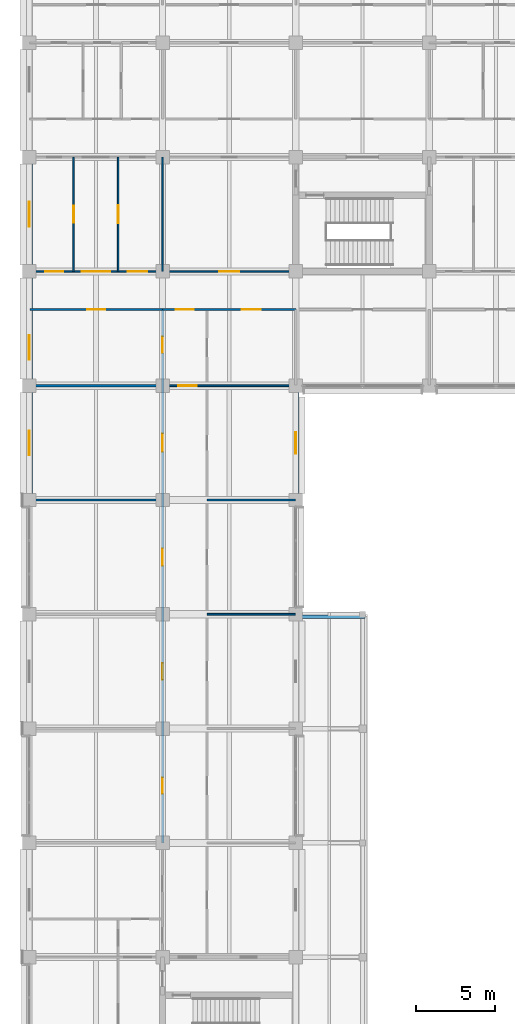
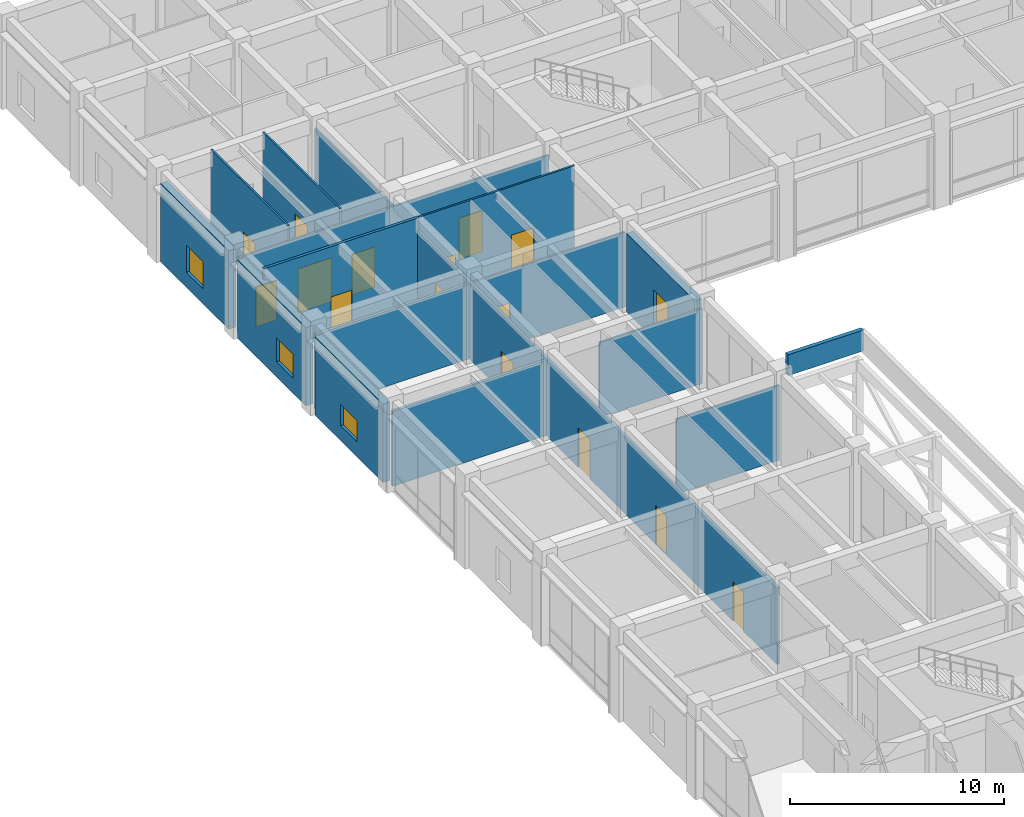
# One storey, part 40 of 68: 17 walls, 15 doors, 4 windows, 19 openings.
"""IFC4 building model written with IfcOpenShell, lengths in metres."""

from ifc_helpers import new_model, si_unit, direction, frame, frame_2d, origin, place, context, subcontext, project, spatial, rectangle, extrude, material, layer, layer_set, type_object, element, fill, save


model = new_model("IFC4")

# Units and contexts
model_context = context("Model", 3, precision=1e-05, world=origin(), true_north=direction((0.0, 1.0)))
body_context = subcontext(model_context, "Body", "Model", "MODEL_VIEW")
ifc_project = project(units=[si_unit("LENGTHUNIT", "METRE"), si_unit("AREAUNIT", "SQUARE_METRE"), si_unit("VOLUMEUNIT", "CUBIC_METRE"), si_unit("PLANEANGLEUNIT", "RADIAN"), si_unit("MASSUNIT", "GRAM", prefix="KILO")], contexts=[model_context])

# Site, building, storey
site_placement = place(None, origin())
site = spatial("IfcSite", under=ifc_project, at=site_placement, CompositionType="ELEMENT")
building_placement = place(site_placement, origin())
building = spatial("IfcBuilding", under=site, at=building_placement, Name="Chengyuan Square Courthouse", CompositionType="ELEMENT")
storey_placement = place(building_placement, frame((0.0, 0.0, 5.39990234375)))
storey = spatial("IfcBuildingStorey", under=building, at=storey_placement, Name="L02", CompositionType="ELEMENT", Elevation=5.39990234375)

# Wall, opening, window
ifc_material_1 = material(Name="Concrete C40", Category="concrete")
ifc_layer_1 = layer(ifc_material_1, 0.3798828125)
ifc_layer_set_1 = layer_set([ifc_layer_1], Name="Concrete C40")
wall_type_1 = type_object("IfcWallType", Name="WL-EW1", PredefinedType="STANDARD", material=ifc_layer_set_1)
wall_1_placement = place(storey_placement, frame((0.0, 72.419921875, 0.0), z_axis=(0.0, 0.0, 1.0), x_axis=(0.0, 1.0, 0.0)))
wall_1 = element("IfcWall", 1, at=wall_1_placement, inside=storey, type_object=wall_type_1, Name="Exterior Wall WL-L02-E210", PredefinedType="STANDARD", context=body_context, shape_type="SweptSolid", body=[
    extrude(rectangle(XDim=6.360107421875, YDim=0.3798828125, at=frame_2d((3.18017578125, 0.0))), origin(), (0.0, 0.0, 1.0), 4.47021484375),
])
opening_1_placement = place(wall_1_placement, frame((2.405029296875, 0.0, 0.85009765625)))
opening_1 = element("IfcOpeningElement", 2, at=opening_1_placement, cuts=wall_1, Name="Opening WN-024", PredefinedType="OPENING", context=body_context, shape_type="SweptSolid", body=[
    extrude(rectangle(XDim=1.550048828125, YDim=1.199951171875, at=frame_2d((0.77490234375, 0.60009765625))), frame((0.0, 0.201904296875, 0.0), z_axis=(0.0, -1.0, 0.0), x_axis=(1.0, 0.0, 0.0)), (0.0, 0.0, 1.0), 0.40380859375),
])
ifc_material_2 = material(Name="Thermally Broken Aluminium Triple Low-E Window", Category="aluminium")
window_type_1 = type_object("IfcWindowType", Name="WT-25", PartitioningType="SINGLE_PANEL", PredefinedType="WINDOW", material=ifc_material_2)
window_1_placement = place(opening_1_placement, origin())
window_1 = element("IfcWindow", 3, at=window_1_placement, inside=storey, type_object=window_type_1, Name="Facade Window WN-024", OverallHeight=1.199951171875, OverallWidth=1.550048828125, PartitioningType="SINGLE_PANEL", PredefinedType="WINDOW", context=body_context, shape_type="SweptSolid", body=[
    extrude(rectangle(XDim=1.550048828125, YDim=1.199951171875, at=frame_2d((0.77490234375, 0.60009765625))), frame((0.0, 0.030029296875, 0.0), z_axis=(0.0, -1.0, 0.0), x_axis=(1.0, 0.0, 0.0)), (0.0, 0.0, 1.0), 0.06005859375),
])
fill(opening_1, window_1)

wall_2_placement = place(storey_placement, frame((0.0, 79.6201171875, 0.0), z_axis=(0.0, 0.0, 1.0), x_axis=(0.0, 1.0, 0.0)))
wall_2 = element("IfcWall", 4, at=wall_2_placement, inside=storey, type_object=wall_type_1, Name="Exterior Wall WL-L02-E211", PredefinedType="STANDARD", context=body_context, shape_type="SweptSolid", body=[
    extrude(rectangle(XDim=6.35986328125, YDim=0.3798828125, at=frame_2d((3.179931640625, 0.0))), origin(), (0.0, 0.0, 1.0), 4.47021484375),
])
opening_2_placement = place(wall_2_placement, frame((1.205078125, 0.0, 0.85009765625)))
opening_2 = element("IfcOpeningElement", 5, at=opening_2_placement, cuts=wall_2, Name="Opening WN-025", PredefinedType="OPENING", context=body_context, shape_type="SweptSolid", body=[
    extrude(rectangle(XDim=1.550048828125, YDim=1.3798828125, at=frame_2d((0.77490234375, 0.68994140625))), frame((0.0, 0.201904296875, 0.0), z_axis=(0.0, -1.0, 0.0), x_axis=(1.0, 0.0, 0.0)), (0.0, 0.0, 1.0), 0.40380859375),
])
window_type_2 = type_object("IfcWindowType", Name="WT-26", PartitioningType="SINGLE_PANEL", PredefinedType="WINDOW", material=ifc_material_2)
window_2_placement = place(opening_2_placement, origin())
window_2 = element("IfcWindow", 6, at=window_2_placement, inside=storey, type_object=window_type_2, Name="Facade Window WN-025", OverallHeight=1.3798828125, OverallWidth=1.550048828125, PartitioningType="SINGLE_PANEL", PredefinedType="WINDOW", context=body_context, shape_type="SweptSolid", body=[
    extrude(rectangle(XDim=1.550048828125, YDim=1.3798828125, at=frame_2d((0.77490234375, 0.68994140625))), frame((0.0, 0.030029296875, 0.0), z_axis=(0.0, -1.0, 0.0), x_axis=(1.0, 0.0, 0.0)), (0.0, 0.0, 1.0), 0.06005859375),
])
fill(opening_2, window_2)

wall_3_placement = place(storey_placement, frame((0.0, 86.820068359375, 0.0), z_axis=(0.0, 0.0, 1.0), x_axis=(0.0, 1.0, 0.0)))
wall_3 = element("IfcWall", 7, at=wall_3_placement, inside=storey, type_object=wall_type_1, Name="Exterior Wall WL-L02-E212", PredefinedType="STANDARD", context=body_context, shape_type="SweptSolid", body=[
    extrude(rectangle(XDim=6.35986328125, YDim=0.3798828125, at=frame_2d((3.179931640625, 0.0))), origin(), (0.0, 0.0, 1.0), 4.47021484375),
])
opening_3_placement = place(wall_3_placement, frame((2.405029296875, 0.0, 0.85009765625)))
opening_3 = element("IfcOpeningElement", 8, at=opening_3_placement, cuts=wall_3, Name="Opening WN-026", PredefinedType="OPENING", context=body_context, shape_type="SweptSolid", body=[
    extrude(rectangle(XDim=1.550048828125, YDim=1.56005859375, at=frame_2d((0.77490234375, 0.780029296875))), frame((0.0, 0.201904296875, 0.0), z_axis=(0.0, -1.0, 0.0), x_axis=(1.0, 0.0, 0.0)), (0.0, 0.0, 1.0), 0.40380859375),
])
window_type_3 = type_object("IfcWindowType", Name="WT-27", PartitioningType="SINGLE_PANEL", PredefinedType="WINDOW", material=ifc_material_2)
window_3_placement = place(opening_3_placement, origin())
window_3 = element("IfcWindow", 9, at=window_3_placement, inside=storey, type_object=window_type_3, Name="Facade Window WN-026", OverallHeight=1.56005859375, OverallWidth=1.550048828125, PartitioningType="SINGLE_PANEL", PredefinedType="WINDOW", context=body_context, shape_type="SweptSolid", body=[
    extrude(rectangle(XDim=1.550048828125, YDim=1.56005859375, at=frame_2d((0.77490234375, 0.780029296875))), frame((0.0, 0.030029296875, 0.0), z_axis=(0.0, -1.0, 0.0), x_axis=(1.0, 0.0, 0.0)), (0.0, 0.0, 1.0), 0.06005859375),
])
fill(opening_3, window_3)

wall_4_placement = place(storey_placement, frame((16.800048828125, 72.419921875, 0.0), z_axis=(0.0, 0.0, 1.0), x_axis=(0.0, 1.0, 0.0)))
wall_4 = element("IfcWall", 10, at=wall_4_placement, inside=storey, type_object=wall_type_1, Name="Exterior Wall WL-L02-E222", PredefinedType="STANDARD", context=body_context, shape_type="SweptSolid", body=[
    extrude(rectangle(XDim=6.360107421875, YDim=0.3798828125, at=frame_2d((3.18017578125, 0.0))), origin(), (0.0, 0.0, 1.0), 4.47021484375),
])
opening_4_placement = place(wall_4_placement, frame((2.5048828125, 0.0, 0.85009765625)))
opening_4 = element("IfcOpeningElement", 11, at=opening_4_placement, cuts=wall_4, Name="Opening WN-035", PredefinedType="OPENING", context=body_context, shape_type="SweptSolid", body=[
    extrude(rectangle(XDim=1.35009765625, YDim=1.919921875, at=frame_2d((0.675048828125, 0.9599609375))), frame((0.0, 0.201904296875, 0.0), z_axis=(0.0, -1.0, 0.0), x_axis=(1.0, 0.0, 0.0)), (0.0, 0.0, 1.0), 0.40380859375),
])
window_type_4 = type_object("IfcWindowType", Name="WT-23", PartitioningType="SINGLE_PANEL", PredefinedType="WINDOW", material=ifc_material_2)
window_4_placement = place(opening_4_placement, origin())
window_4 = element("IfcWindow", 12, at=window_4_placement, inside=storey, type_object=window_type_4, Name="Facade Window WN-035", OverallHeight=1.919921875, OverallWidth=1.35009765625, PartitioningType="SINGLE_PANEL", PredefinedType="WINDOW", context=body_context, shape_type="SweptSolid", body=[
    extrude(rectangle(XDim=1.35009765625, YDim=1.919921875, at=frame_2d((0.675048828125, 0.9599609375))), frame((0.0, 0.030029296875, 0.0), z_axis=(0.0, -1.0, 0.0), x_axis=(1.0, 0.0, 0.0)), (0.0, 0.0, 1.0), 0.06005859375),
])
fill(opening_4, window_4)

# Walls
ifc_layer_2 = layer(ifc_material_1, 0.219970703125)
ifc_layer_set_2 = layer_set([ifc_layer_2], Name="Concrete C40")
wall_type_2 = type_object("IfcWallType", Name="WL-PR1", PredefinedType="PARAPET", material=ifc_layer_set_2)
wall_5_placement = place(storey_placement, frame((21.159912109375, 64.659912109375, 4.800048828125), z_axis=(0.0, 0.0, 1.0), x_axis=(-1.0, 0.0, 0.0)))
element("IfcWall", 13, at=wall_5_placement, inside=storey, type_object=wall_type_2, Name="Roof Parapet Wall PAR-L02-003", PredefinedType="PARAPET", context=body_context, shape_type="SweptSolid", body=[
    extrude(rectangle(XDim=4.059814453125, YDim=0.219970703125, at=frame_2d((2.02978515625, 0.0))), origin(), (0.0, 0.0, 1.0), 1.199951171875),
])
ifc_material_3 = material(Name="Deliberation Room Sound-Insulated Partition")
ifc_layer_3 = layer(ifc_material_3, 0.14990234375)
ifc_layer_set_3 = layer_set([ifc_layer_3], Name="Deliberation Room Sound-Insulated Partition")
wall_type_3 = type_object("IfcWallType", Name="WL-PT3", PredefinedType="STANDARD", material=ifc_layer_set_3)
for number, where, z_axis, x_axis, name in (
    (14, (0.0400390625, 72.0, 0.0), (0.0, 0.0, 1.0), (1.0, 0.0, 0.0), "Interior Wall WL-L02-I1054"),
    (15, (0.0400390625, 79.199951171875, 0.0), (0.0, 0.0, 1.0), (1.0, 0.0, 0.0), "Interior Wall WL-L02-I1058"),
):
    element("IfcWall", number, at=place(storey_placement, frame(where, z_axis=z_axis, x_axis=x_axis)), inside=storey, type_object=wall_type_3, Name=name, PredefinedType="STANDARD", context=body_context, shape_type="SweptSolid", body=[
        extrude(rectangle(XDim=8.35986328125, YDim=0.14990234375, at=frame_2d((4.179931640625, 0.0))), origin(), (0.0, 0.0, 1.0), 4.27001953125),
    ])

# Wall, opening, door
wall_6_placement = place(storey_placement, frame((0.0400390625, 84.0, 0.0), z_axis=(0.0, 0.0, 1.0), x_axis=(1.0, 0.0, 0.0)))
wall_6 = element("IfcWall", 16, at=wall_6_placement, inside=storey, type_object=wall_type_3, Name="Interior Wall WL-L02-I1062", PredefinedType="STANDARD", context=body_context, shape_type="SweptSolid", body=[
    extrude(rectangle(XDim=8.35986328125, YDim=0.14990234375, at=frame_2d((4.179931640625, 0.0))), origin(), (0.0, 0.0, 1.0), 5.1201171875),
])
opening_5_placement = place(wall_6_placement, frame((3.6201171875, 0.0, 0.0)))
opening_5 = element("IfcOpeningElement", 17, at=opening_5_placement, cuts=wall_6, Name="Opening DR-1229", PredefinedType="OPENING", context=body_context, shape_type="SweptSolid", body=[
    extrude(rectangle(XDim=1.1201171875, YDim=2.25, at=frame_2d((0.56005859375, 1.125))), frame((0.0, 0.0869140625, 0.0), z_axis=(0.0, -1.0, 0.0), x_axis=(1.0, 0.0, 0.0)), (0.0, 0.0, 1.0), 0.173828125),
])
ifc_material_4 = material(Name="Acoustic Solid-Core Timber Door", Category="wood")
door_type_1 = type_object("IfcDoorType", Name="DT-34", OperationType="NOTDEFINED", PredefinedType="DOOR", material=ifc_material_4)
door_1_placement = place(opening_5_placement, origin())
door_1 = element("IfcDoor", 18, at=door_1_placement, inside=storey, type_object=door_type_1, Name="Interior Door DR-1229", OperationType="SINGLE_SWING_RIGHT", OverallHeight=2.25, OverallWidth=1.1201171875, PredefinedType="DOOR", context=body_context, shape_type="SweptSolid", body=[
    extrude(rectangle(XDim=1.1201171875, YDim=2.25, at=frame_2d((0.56005859375, 1.125))), frame((0.0, 0.02490234375, 0.0), z_axis=(0.0, -1.0, 0.0), x_axis=(1.0, 0.0, 0.0)), (0.0, 0.0, 1.0), 0.050048828125),
])
fill(opening_5, door_1)

# Wall, openings, doors
wall_7_placement = place(storey_placement, frame((8.39990234375, 50.39990234375, 0.0), z_axis=(0.0, 0.0, 1.0), x_axis=(0.0, 1.0, 0.0)))
wall_7 = element("IfcWall", 19, at=wall_7_placement, inside=storey, type_object=wall_type_3, Name="Interior Wall WL-L02-I1209", PredefinedType="STANDARD", context=body_context, shape_type="SweptSolid", body=[
    extrude(rectangle(XDim=33.60009765625, YDim=0.14990234375, at=frame_2d((16.800048828125, 0.0))), origin(), (0.0, 0.0, 1.0), 4.3701171875),
])
opening_6_placement = place(wall_7_placement, frame((30.862548828125, 0.0, 0.0)))
opening_6 = element("IfcOpeningElement", 20, at=opening_6_placement, cuts=wall_7, Name="Opening DR-1253", PredefinedType="OPENING", context=body_context, shape_type="SweptSolid", body=[
    extrude(rectangle(XDim=1.02001953125, YDim=2.39990234375, at=frame_2d((0.510009765625, 1.199951171875))), frame((0.0, 0.0869140625, 0.0), z_axis=(0.0, -1.0, 0.0), x_axis=(1.0, 0.0, 0.0)), (0.0, 0.0, 1.0), 0.173828125),
])
opening_7_placement = place(wall_7_placement, frame((3.10009765625, 0.0, 0.0)))
opening_7 = element("IfcOpeningElement", 21, at=opening_7_placement, cuts=wall_7, Name="Opening DR-1277", PredefinedType="OPENING", context=body_context, shape_type="SweptSolid", body=[
    extrude(rectangle(XDim=1.0, YDim=2.25, at=frame_2d((0.5, 1.125))), frame((0.0, 0.0869140625, 0.0), z_axis=(0.0, -1.0, 0.0), x_axis=(1.0, 0.0, 0.0)), (0.0, 0.0, 1.0), 0.173828125),
])
opening_8_placement = place(wall_7_placement, frame((10.280029296875, 0.0, 0.0)))
opening_8 = element("IfcOpeningElement", 22, at=opening_8_placement, cuts=wall_7, Name="Opening DR-1278", PredefinedType="OPENING", context=body_context, shape_type="SweptSolid", body=[
    extrude(rectangle(XDim=1.0400390625, YDim=2.199951171875, at=frame_2d((0.52001953125, 1.10009765625))), frame((0.0, 0.0869140625, 0.0), z_axis=(0.0, -1.0, 0.0), x_axis=(1.0, 0.0, 0.0)), (0.0, 0.0, 1.0), 0.173828125),
])
opening_9_placement = place(wall_7_placement, frame((17.4599609375, 0.0, 0.0)))
opening_9 = element("IfcOpeningElement", 23, at=opening_9_placement, cuts=wall_7, Name="Opening DR-1279", PredefinedType="OPENING", context=body_context, shape_type="SweptSolid", body=[
    extrude(rectangle(XDim=1.080078125, YDim=2.25, at=frame_2d((0.5400390625, 1.125))), frame((0.0, 0.0869140625, 0.0), z_axis=(0.0, -1.0, 0.0), x_axis=(1.0, 0.0, 0.0)), (0.0, 0.0, 1.0), 0.173828125),
])
opening_10_placement = place(wall_7_placement, frame((24.639892578125, 0.0, 0.0)))
opening_10 = element("IfcOpeningElement", 24, at=opening_10_placement, cuts=wall_7, Name="Opening DR-1280", PredefinedType="OPENING", context=body_context, shape_type="SweptSolid", body=[
    extrude(rectangle(XDim=1.1201171875, YDim=2.25, at=frame_2d((0.56005859375, 1.125))), frame((0.0, 0.0869140625, 0.0), z_axis=(0.0, -1.0, 0.0), x_axis=(1.0, 0.0, 0.0)), (0.0, 0.0, 1.0), 0.173828125),
])
door_type_2 = type_object("IfcDoorType", Name="DT-31", OperationType="NOTDEFINED", PredefinedType="DOOR", material=ifc_material_4)
door_2_placement = place(opening_7_placement, origin())
door_2 = element("IfcDoor", 25, at=door_2_placement, inside=storey, type_object=door_type_2, Name="Interior Door DR-1277", OperationType="SINGLE_SWING_RIGHT", OverallHeight=2.25, OverallWidth=1.0, PredefinedType="DOOR", context=body_context, shape_type="SweptSolid", body=[
    extrude(rectangle(XDim=1.0, YDim=2.25, at=frame_2d((0.5, 1.125))), frame((0.0, 0.02490234375, 0.0), z_axis=(0.0, -1.0, 0.0), x_axis=(1.0, 0.0, 0.0)), (0.0, 0.0, 1.0), 0.050048828125),
])
fill(opening_7, door_2)
door_type_3 = type_object("IfcDoorType", Name="DT-32", OperationType="NOTDEFINED", PredefinedType="DOOR", material=ifc_material_4)
door_3_placement = place(opening_8_placement, origin())
door_3 = element("IfcDoor", 26, at=door_3_placement, inside=storey, type_object=door_type_3, Name="Interior Door DR-1278", OperationType="SINGLE_SWING_LEFT", OverallHeight=2.199951171875, OverallWidth=1.0400390625, PredefinedType="DOOR", context=body_context, shape_type="SweptSolid", body=[
    extrude(rectangle(XDim=1.0400390625, YDim=2.199951171875, at=frame_2d((0.52001953125, 1.10009765625))), frame((0.0, 0.02490234375, 0.0), z_axis=(0.0, -1.0, 0.0), x_axis=(1.0, 0.0, 0.0)), (0.0, 0.0, 1.0), 0.050048828125),
])
fill(opening_8, door_3)
door_type_4 = type_object("IfcDoorType", Name="DT-33", OperationType="NOTDEFINED", PredefinedType="DOOR", material=ifc_material_4)
door_4_placement = place(opening_9_placement, origin())
door_4 = element("IfcDoor", 27, at=door_4_placement, inside=storey, type_object=door_type_4, Name="Interior Door DR-1279", OperationType="SINGLE_SWING_RIGHT", OverallHeight=2.25, OverallWidth=1.080078125, PredefinedType="DOOR", context=body_context, shape_type="SweptSolid", body=[
    extrude(rectangle(XDim=1.080078125, YDim=2.25, at=frame_2d((0.5400390625, 1.125))), frame((0.0, 0.02490234375, 0.0), z_axis=(0.0, -1.0, 0.0), x_axis=(1.0, 0.0, 0.0)), (0.0, 0.0, 1.0), 0.050048828125),
])
fill(opening_9, door_4)
door_5_placement = place(opening_10_placement, origin())
door_5 = element("IfcDoor", 28, at=door_5_placement, inside=storey, type_object=door_type_1, Name="Interior Door DR-1280", OperationType="SINGLE_SWING_LEFT", OverallHeight=2.25, OverallWidth=1.1201171875, PredefinedType="DOOR", context=body_context, shape_type="SweptSolid", body=[
    extrude(rectangle(XDim=1.1201171875, YDim=2.25, at=frame_2d((0.56005859375, 1.125))), frame((0.0, 0.02490234375, 0.0), z_axis=(0.0, -1.0, 0.0), x_axis=(1.0, 0.0, 0.0)), (0.0, 0.0, 1.0), 0.050048828125),
])
fill(opening_10, door_5)
door_type_5 = type_object("IfcDoorType", Name="DT-41", OperationType="NOTDEFINED", PredefinedType="DOOR", material=ifc_material_4)
door_6_placement = place(opening_6_placement, origin())
door_6 = element("IfcDoor", 29, at=door_6_placement, inside=storey, type_object=door_type_5, Name="Interior Door DR-1253", OperationType="SINGLE_SWING_RIGHT", OverallHeight=2.39990234375, OverallWidth=1.02001953125, PredefinedType="DOOR", context=body_context, shape_type="SweptSolid", body=[
    extrude(rectangle(XDim=1.02001953125, YDim=2.39990234375, at=frame_2d((0.510009765625, 1.199951171875))), frame((0.0, 0.02490234375, 0.0), z_axis=(0.0, -1.0, 0.0), x_axis=(1.0, 0.0, 0.0)), (0.0, 0.0, 1.0), 0.050048828125),
])
fill(opening_6, door_6)

# Walls
ifc_material_5 = material(Name="Gypsum Plasterboard Acoustic Stud Partition")
ifc_layer_4 = layer(ifc_material_5, 0.10009765625)
ifc_layer_set_4 = layer_set([ifc_layer_4], Name="Gypsum Plasterboard Acoustic Stud Partition")
wall_type_4 = type_object("IfcWallType", Name="WL-PT6", PredefinedType="STANDARD", material=ifc_layer_set_4)
for number, where, z_axis, x_axis, name in (
    (30, (11.199951171875, 64.800048828125, 0.0), (0.0, 0.0, 1.0), (1.0, 0.0, 0.0), "Interior Wall WL-L02-I1051"),
    (31, (11.199951171875, 72.0, 0.0), (0.0, 0.0, 1.0), (1.0, 0.0, 0.0), "Interior Wall WL-L02-I1055"),
):
    element("IfcWall", number, at=place(storey_placement, frame(where, z_axis=z_axis, x_axis=x_axis)), inside=storey, type_object=wall_type_4, Name=name, PredefinedType="STANDARD", context=body_context, shape_type="SweptSolid", body=[
        extrude(rectangle(XDim=5.56005859375, YDim=0.10009765625, at=frame_2d((2.780029296875, 0.0))), origin(), (0.0, 0.0, 1.0), 4.27001953125),
    ])

# Wall, opening, door
wall_8_placement = place(storey_placement, frame((8.39990234375, 79.199951171875, 0.0), z_axis=(0.0, 0.0, 1.0), x_axis=(1.0, 0.0, 0.0)))
wall_8 = element("IfcWall", 32, at=wall_8_placement, inside=storey, type_object=wall_type_4, Name="Interior Wall WL-L02-I1059", PredefinedType="STANDARD", context=body_context, shape_type="SweptSolid", body=[
    extrude(rectangle(XDim=8.360107421875, YDim=0.10009765625, at=frame_2d((4.18017578125, 0.0))), origin(), (0.0, 0.0, 1.0), 4.27001953125),
])
opening_11_placement = place(wall_8_placement, frame((1.00244140625, 0.0, 0.0)))
opening_11 = element("IfcOpeningElement", 33, at=opening_11_placement, cuts=wall_8, Name="Opening DR-1255", PredefinedType="OPENING", context=body_context, shape_type="SweptSolid", body=[
    extrude(rectangle(XDim=1.139892578125, YDim=2.39990234375, at=frame_2d((0.56982421875, 1.199951171875))), frame((0.0, 0.06201171875, 0.0), z_axis=(0.0, -1.0, 0.0), x_axis=(1.0, 0.0, 0.0)), (0.0, 0.0, 1.0), 0.1240234375),
])
door_type_6 = type_object("IfcDoorType", Name="DT-43", OperationType="NOTDEFINED", PredefinedType="DOOR", material=ifc_material_4)
door_7_placement = place(opening_11_placement, origin())
door_7 = element("IfcDoor", 34, at=door_7_placement, inside=storey, type_object=door_type_6, Name="Interior Door DR-1255", OperationType="SINGLE_SWING_RIGHT", OverallHeight=2.39990234375, OverallWidth=1.139892578125, PredefinedType="DOOR", context=body_context, shape_type="SweptSolid", body=[
    extrude(rectangle(XDim=1.139892578125, YDim=2.39990234375, at=frame_2d((0.56982421875, 1.199951171875))), frame((0.0, 0.02490234375, 0.0), z_axis=(0.0, -1.0, 0.0), x_axis=(1.0, 0.0, 0.0)), (0.0, 0.0, 1.0), 0.050048828125),
])
fill(opening_11, door_7)

# Wall, openings, doors
wall_9_placement = place(storey_placement, frame((8.39990234375, 84.0, 0.0), z_axis=(0.0, 0.0, 1.0), x_axis=(1.0, 0.0, 0.0)))
wall_9 = element("IfcWall", 35, at=wall_9_placement, inside=storey, type_object=wall_type_4, Name="Interior Wall WL-L02-I1063", PredefinedType="STANDARD", context=body_context, shape_type="SweptSolid", body=[
    extrude(rectangle(XDim=8.400146484375, YDim=0.10009765625, at=frame_2d((4.2001953125, 0.0))), origin(), (0.0, 0.0, 1.0), 5.1201171875),
])
opening_12_placement = place(wall_9_placement, frame((0.820068359375, 0.0, 0.0)))
opening_12 = element("IfcOpeningElement", 36, at=opening_12_placement, cuts=wall_9, Name="Opening DR-1230", PredefinedType="OPENING", context=body_context, shape_type="SweptSolid", body=[
    extrude(rectangle(XDim=1.159912109375, YDim=2.300048828125, at=frame_2d((0.580078125, 1.14990234375))), frame((0.0, 0.06201171875, 0.0), z_axis=(0.0, -1.0, 0.0), x_axis=(1.0, 0.0, 0.0)), (0.0, 0.0, 1.0), 0.1240234375),
])
opening_13_placement = place(wall_9_placement, frame((5.0, 0.0, 0.0)))
opening_13 = element("IfcOpeningElement", 37, at=opening_13_placement, cuts=wall_9, Name="Opening DR-1231", PredefinedType="OPENING", context=body_context, shape_type="SweptSolid", body=[
    extrude(rectangle(XDim=1.199951171875, YDim=2.35009765625, at=frame_2d((0.60009765625, 1.175048828125))), frame((0.0, 0.06201171875, 0.0), z_axis=(0.0, -1.0, 0.0), x_axis=(1.0, 0.0, 0.0)), (0.0, 0.0, 1.0), 0.1240234375),
])
door_type_7 = type_object("IfcDoorType", Name="DT-35", OperationType="NOTDEFINED", PredefinedType="DOOR", material=ifc_material_4)
door_8_placement = place(opening_12_placement, origin())
door_8 = element("IfcDoor", 38, at=door_8_placement, inside=storey, type_object=door_type_7, Name="Interior Door DR-1230", OperationType="SINGLE_SWING_LEFT", OverallHeight=2.300048828125, OverallWidth=1.159912109375, PredefinedType="DOOR", context=body_context, shape_type="SweptSolid", body=[
    extrude(rectangle(XDim=1.159912109375, YDim=2.300048828125, at=frame_2d((0.580078125, 1.14990234375))), frame((0.0, 0.02490234375, 0.0), z_axis=(0.0, -1.0, 0.0), x_axis=(1.0, 0.0, 0.0)), (0.0, 0.0, 1.0), 0.050048828125),
])
fill(opening_12, door_8)
door_type_8 = type_object("IfcDoorType", Name="DT-36", OperationType="NOTDEFINED", PredefinedType="DOOR", material=ifc_material_4)
door_9_placement = place(opening_13_placement, origin())
door_9 = element("IfcDoor", 39, at=door_9_placement, inside=storey, type_object=door_type_8, Name="Interior Door DR-1231", OperationType="SINGLE_SWING_RIGHT", OverallHeight=2.35009765625, OverallWidth=1.199951171875, PredefinedType="DOOR", context=body_context, shape_type="SweptSolid", body=[
    extrude(rectangle(XDim=1.199951171875, YDim=2.35009765625, at=frame_2d((0.60009765625, 1.175048828125))), frame((0.0, 0.02490234375, 0.0), z_axis=(0.0, -1.0, 0.0), x_axis=(1.0, 0.0, 0.0)), (0.0, 0.0, 1.0), 0.050048828125),
])
fill(opening_13, door_9)

wall_10_placement = place(storey_placement, frame((0.0400390625, 86.39990234375, 0.0), z_axis=(0.0, 0.0, 1.0), x_axis=(1.0, 0.0, 0.0)))
wall_10 = element("IfcWall", 40, at=wall_10_placement, inside=storey, type_object=wall_type_4, Name="Interior Wall WL-L02-I1067", PredefinedType="STANDARD", context=body_context, shape_type="SweptSolid", body=[
    extrude(rectangle(XDim=16.760009765625, YDim=0.10009765625, at=frame_2d((8.3798828125, 0.0))), origin(), (0.0, 0.0, 1.0), 4.27001953125),
])
opening_14_placement = place(wall_10_placement, frame((0.972412109375, 0.0, 0.0)))
opening_14 = element("IfcOpeningElement", 41, at=opening_14_placement, cuts=wall_10, Name="Opening DR-1178", PredefinedType="OPENING", context=body_context, shape_type="SweptSolid", body=[
    extrude(rectangle(XDim=1.1201171875, YDim=2.25, at=frame_2d((0.56005859375, 1.125))), frame((0.0, 0.06201171875, 0.0), z_axis=(0.0, -1.0, 0.0), x_axis=(1.0, 0.0, 0.0)), (0.0, 0.0, 1.0), 0.1240234375),
])
opening_15_placement = place(wall_10_placement, frame((3.260009765625, 0.0, 0.0)))
opening_15 = element("IfcOpeningElement", 42, at=opening_15_placement, cuts=wall_10, Name="Opening DR-1180", PredefinedType="OPENING", context=body_context, shape_type="SweptSolid", body=[
    extrude(rectangle(XDim=1.800048828125, YDim=2.5, at=frame_2d((0.89990234375, 1.25))), frame((0.0, 0.06201171875, 0.0), z_axis=(0.0, -1.0, 0.0), x_axis=(1.0, 0.0, 0.0)), (0.0, 0.0, 1.0), 0.1240234375),
])
opening_16_placement = place(wall_10_placement, frame((6.16748046875, 0.0, 0.0)))
opening_16 = element("IfcOpeningElement", 43, at=opening_16_placement, cuts=wall_10, Name="Opening DR-1181", PredefinedType="OPENING", context=body_context, shape_type="SweptSolid", body=[
    extrude(rectangle(XDim=1.239990234375, YDim=2.300048828125, at=frame_2d((0.6201171875, 1.14990234375))), frame((0.0, 0.06201171875, 0.0), z_axis=(0.0, -1.0, 0.0), x_axis=(1.0, 0.0, 0.0)), (0.0, 0.0, 1.0), 0.1240234375),
])
opening_17_placement = place(wall_10_placement, frame((11.919921875, 0.0, 0.0)))
opening_17 = element("IfcOpeningElement", 44, at=opening_17_placement, cuts=wall_10, Name="Opening DR-1182", PredefinedType="OPENING", context=body_context, shape_type="SweptSolid", body=[
    extrude(rectangle(XDim=1.280029296875, YDim=2.35009765625, at=frame_2d((0.64013671875, 1.175048828125))), frame((0.0, 0.06201171875, 0.0), z_axis=(0.0, -1.0, 0.0), x_axis=(1.0, 0.0, 0.0)), (0.0, 0.0, 1.0), 0.1240234375),
])
ifc_material_6 = material(Name="Acoustic Larch Veneer Double Door")
door_type_9 = type_object("IfcDoorType", Name="DT-21", OperationType="DOUBLE_DOOR_SINGLE_SWING", PredefinedType="DOOR", material=ifc_material_6)
door_10_placement = place(opening_15_placement, frame((1.800048828125, 0.0, 0.0), z_axis=(0.0, 0.0, 1.0), x_axis=(-1.0, 0.0, 0.0)))
door_10 = element("IfcDoor", 45, at=door_10_placement, inside=storey, type_object=door_type_9, Name="Interior Door DR-1180", OperationType="DOUBLE_DOOR_SINGLE_SWING", OverallHeight=2.5, OverallWidth=1.800048828125, PredefinedType="DOOR", context=body_context, shape_type="SweptSolid", body=[
    extrude(rectangle(XDim=1.800048828125, YDim=2.5, at=frame_2d((0.89990234375, 1.25))), frame((0.0, 0.02490234375, 0.0), z_axis=(0.0, -1.0, 0.0), x_axis=(1.0, 0.0, 0.0)), (0.0, 0.0, 1.0), 0.050048828125),
])
fill(opening_15, door_10)
door_11_placement = place(opening_14_placement, origin())
door_11 = element("IfcDoor", 46, at=door_11_placement, inside=storey, type_object=door_type_1, Name="Interior Door DR-1178", OperationType="SINGLE_SWING_LEFT", OverallHeight=2.25, OverallWidth=1.1201171875, PredefinedType="DOOR", context=body_context, shape_type="SweptSolid", body=[
    extrude(rectangle(XDim=1.1201171875, YDim=2.25, at=frame_2d((0.56005859375, 1.125))), frame((0.0, 0.02490234375, 0.0), z_axis=(0.0, -1.0, 0.0), x_axis=(1.0, 0.0, 0.0)), (0.0, 0.0, 1.0), 0.050048828125),
])
fill(opening_14, door_11)
door_type_10 = type_object("IfcDoorType", Name="DT-37", OperationType="NOTDEFINED", PredefinedType="DOOR", material=ifc_material_4)
door_12_placement = place(opening_16_placement, origin())
door_12 = element("IfcDoor", 47, at=door_12_placement, inside=storey, type_object=door_type_10, Name="Interior Door DR-1181", OperationType="SINGLE_SWING_LEFT", OverallHeight=2.300048828125, OverallWidth=1.239990234375, PredefinedType="DOOR", context=body_context, shape_type="SweptSolid", body=[
    extrude(rectangle(XDim=1.239990234375, YDim=2.300048828125, at=frame_2d((0.6201171875, 1.14990234375))), frame((0.0, 0.02490234375, 0.0), z_axis=(0.0, -1.0, 0.0), x_axis=(1.0, 0.0, 0.0)), (0.0, 0.0, 1.0), 0.050048828125),
])
fill(opening_16, door_12)
door_type_11 = type_object("IfcDoorType", Name="DT-38", OperationType="NOTDEFINED", PredefinedType="DOOR", material=ifc_material_4)
door_13_placement = place(opening_17_placement, origin())
door_13 = element("IfcDoor", 48, at=door_13_placement, inside=storey, type_object=door_type_11, Name="Interior Door DR-1182", OperationType="SINGLE_SWING_RIGHT", OverallHeight=2.35009765625, OverallWidth=1.280029296875, PredefinedType="DOOR", context=body_context, shape_type="SweptSolid", body=[
    extrude(rectangle(XDim=1.280029296875, YDim=2.35009765625, at=frame_2d((0.64013671875, 1.175048828125))), frame((0.0, 0.02490234375, 0.0), z_axis=(0.0, -1.0, 0.0), x_axis=(1.0, 0.0, 0.0)), (0.0, 0.0, 1.0), 0.050048828125),
])
fill(opening_17, door_13)

# Wall, opening, door
wall_11_placement = place(storey_placement, frame((2.800048828125, 86.39990234375, 0.0), z_axis=(0.0, 0.0, 1.0), x_axis=(0.0, 1.0, 0.0)))
wall_11 = element("IfcWall", 49, at=wall_11_placement, inside=storey, type_object=wall_type_4, Name="Interior Wall WL-L02-I1199", PredefinedType="STANDARD", context=body_context, shape_type="SweptSolid", body=[
    extrude(rectangle(XDim=7.2001953125, YDim=0.10009765625, at=frame_2d((3.60009765625, 0.0))), origin(), (0.0, 0.0, 1.0), 5.1201171875),
])
opening_18_placement = place(wall_11_placement, frame((3.06005859375, 0.0, 0.0)))
opening_18 = element("IfcOpeningElement", 50, at=opening_18_placement, cuts=wall_11, Name="Opening DR-1177", PredefinedType="OPENING", context=body_context, shape_type="SweptSolid", body=[
    extrude(rectangle(XDim=1.080078125, YDim=2.25, at=frame_2d((0.5400390625, 1.125))), frame((0.0, 0.06201171875, 0.0), z_axis=(0.0, -1.0, 0.0), x_axis=(1.0, 0.0, 0.0)), (0.0, 0.0, 1.0), 0.1240234375),
])
door_14_placement = place(opening_18_placement, origin())
door_14 = element("IfcDoor", 51, at=door_14_placement, inside=storey, type_object=door_type_4, Name="Interior Door DR-1177", OperationType="SINGLE_SWING_RIGHT", OverallHeight=2.25, OverallWidth=1.080078125, PredefinedType="DOOR", context=body_context, shape_type="SweptSolid", body=[
    extrude(rectangle(XDim=1.080078125, YDim=2.25, at=frame_2d((0.5400390625, 1.125))), frame((0.0, 0.02490234375, 0.0), z_axis=(0.0, -1.0, 0.0), x_axis=(1.0, 0.0, 0.0)), (0.0, 0.0, 1.0), 0.050048828125),
])
fill(opening_18, door_14)

wall_12_placement = place(storey_placement, frame((5.60009765625, 86.39990234375, 0.0), z_axis=(0.0, 0.0, 1.0), x_axis=(0.0, 1.0, 0.0)))
wall_12 = element("IfcWall", 52, at=wall_12_placement, inside=storey, type_object=wall_type_4, Name="Interior Wall WL-L02-I1202", PredefinedType="STANDARD", context=body_context, shape_type="SweptSolid", body=[
    extrude(rectangle(XDim=7.2001953125, YDim=0.10009765625, at=frame_2d((3.60009765625, 0.0))), origin(), (0.0, 0.0, 1.0), 5.1201171875),
])
opening_19_placement = place(wall_12_placement, frame((3.02001953125, 0.0, 0.0)))
opening_19 = element("IfcOpeningElement", 53, at=opening_19_placement, cuts=wall_12, Name="Opening DR-1179", PredefinedType="OPENING", context=body_context, shape_type="SweptSolid", body=[
    extrude(rectangle(XDim=1.159912109375, YDim=2.300048828125, at=frame_2d((0.580078125, 1.14990234375))), frame((0.0, 0.06201171875, 0.0), z_axis=(0.0, -1.0, 0.0), x_axis=(1.0, 0.0, 0.0)), (0.0, 0.0, 1.0), 0.1240234375),
])
door_15_placement = place(opening_19_placement, origin())
door_15 = element("IfcDoor", 54, at=door_15_placement, inside=storey, type_object=door_type_7, Name="Interior Door DR-1179", OperationType="SINGLE_SWING_RIGHT", OverallHeight=2.300048828125, OverallWidth=1.159912109375, PredefinedType="DOOR", context=body_context, shape_type="SweptSolid", body=[
    extrude(rectangle(XDim=1.159912109375, YDim=2.300048828125, at=frame_2d((0.580078125, 1.14990234375))), frame((0.0, 0.02490234375, 0.0), z_axis=(0.0, -1.0, 0.0), x_axis=(1.0, 0.0, 0.0)), (0.0, 0.0, 1.0), 0.050048828125),
])
fill(opening_19, door_15)

# Wall
wall_13_placement = place(storey_placement, frame((8.39990234375, 86.39990234375, 0.0), z_axis=(0.0, 0.0, 1.0), x_axis=(0.0, 1.0, 0.0)))
element("IfcWall", 55, at=wall_13_placement, inside=storey, type_object=wall_type_4, Name="Interior Wall WL-L02-I1210", PredefinedType="STANDARD", context=body_context, shape_type="SweptSolid", body=[
    extrude(rectangle(XDim=7.2001953125, YDim=0.10009765625, at=frame_2d((3.60009765625, 0.0))), origin(), (0.0, 0.0, 1.0), 4.3701171875),
])

save(model, "model.ifc")
